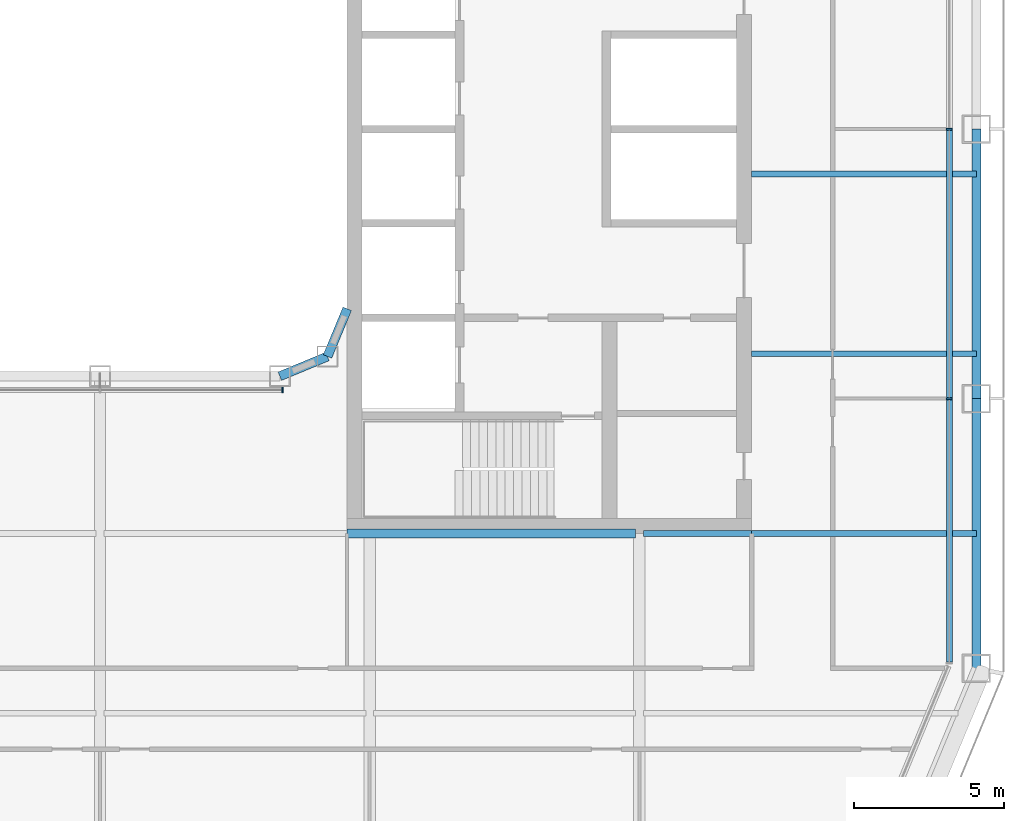
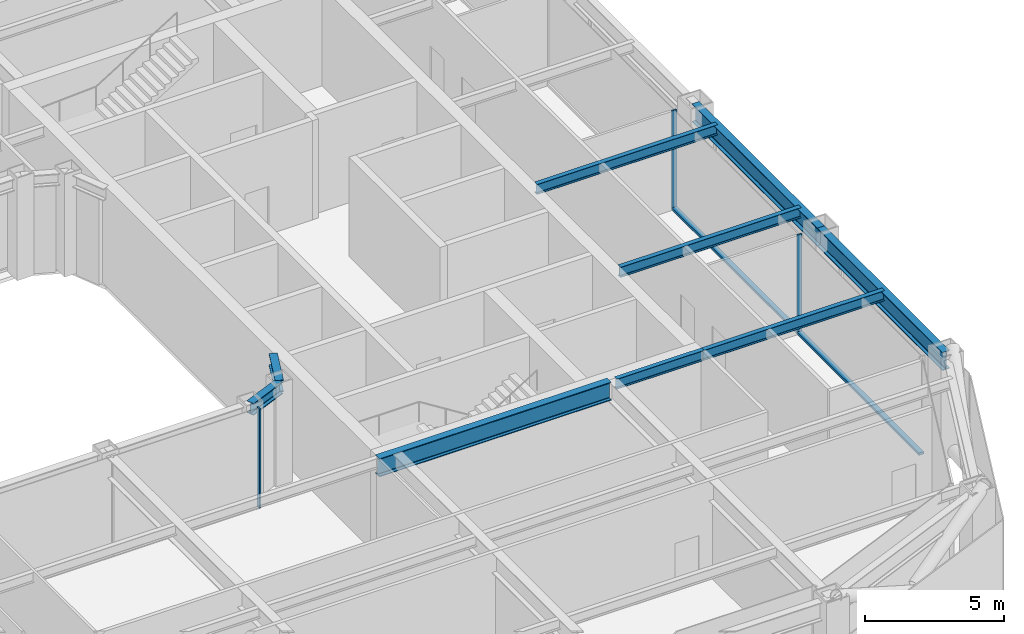
# One storey, part 5 of 21: 9 beams, 5 members, 2 elements without a shape of their own.
"""IFC4 building model written with IfcOpenShell, lengths in metres."""

from ifc_helpers import new_model, si_unit, direction, frame, origin, origin_2d, place, context, subcontext, project, spatial, rectangle, i_section, extrude, material, layer, layer_set, material_profile, profile_set, type_object, element, aggregate, save


model = new_model("IFC4")

# Units and contexts
model_context = context("Model", 3, precision=1e-05, world=origin(), true_north=direction((0.0, 1.0)))
body_context = subcontext(model_context, "Body", "Model", "MODEL_VIEW")
ifc_project = project(units=[si_unit("LENGTHUNIT", "METRE"), si_unit("AREAUNIT", "SQUARE_METRE"), si_unit("VOLUMEUNIT", "CUBIC_METRE"), si_unit("PLANEANGLEUNIT", "RADIAN"), si_unit("MASSUNIT", "GRAM", prefix="KILO")], contexts=[model_context])

# Site, building, storey
site_placement = place(None, origin())
site = spatial("IfcSite", under=ifc_project, at=site_placement, CompositionType="ELEMENT")
building_placement = place(site_placement, origin())
building = spatial("IfcBuilding", under=site, at=building_placement, Name="Siwar Civic Tower", CompositionType="ELEMENT")
storey_placement = place(building_placement, frame((0.0, 0.0, 122.699951171875)))
storey = spatial("IfcBuildingStorey", under=building, at=storey_placement, Name="L26", CompositionType="ELEMENT", Elevation=122.699951171875)

# Curtain wall, members
ifc_material_1 = material(Name="Aluminium and glass", Category="aluminium")
ifc_layer_1 = layer(ifc_material_1, 0.199951171875)
ifc_layer_set_1 = layer_set([ifc_layer_1], Name="Aluminium and glass")
curtain_wall_type_1 = type_object("IfcCurtainWallType", Name="ENV-CW-B", PredefinedType="NOTDEFINED", material=ifc_layer_set_1)
curtain_wall_1_placement = place(storey_placement, origin())
curtain_wall_1 = element("IfcCurtainWall", 1, at=curtain_wall_1_placement, inside=storey, type_object=curtain_wall_type_1, Name="Curtain wall B E", PredefinedType="NOTDEFINED")
ifc_material_2 = material(Name="Aluminium 6063-T6", Category="aluminium")
ifc_material_profile_1 = material_profile(ifc_material_2, rectangle(XDim=0.199951171875, YDim=0.06494140625, at=origin_2d()), Name="AL 200x65")
ifc_profile_set_1 = profile_set([ifc_material_profile_1], Name="Aluminium 6063-T6")
member_type_1 = type_object("IfcMemberType", Name="ENV-MULLION-B", PredefinedType="MULLION", material=ifc_profile_set_1)
member_1_placement = place(storey_placement, frame((28.35009765625, -9.0, 0.0), z_axis=(0.0, 0.0, 1.0), x_axis=(-1.0, 0.0, 0.0)))
member_1 = element("IfcMember", 2, at=member_1_placement, type_object=member_type_1, Name="Mullion B E 2", PredefinedType="MULLION", context=body_context, shape_type="SweptSolid", body=[
    extrude(rectangle(XDim=0.199951171875, YDim=0.06494140625, at=origin_2d()), origin(), (0.0, 0.0, 1.0), 4.35009765625),
])
member_2_placement = place(storey_placement, frame((28.35009765625, 0.0, 0.0), z_axis=(0.0, 0.0, 1.0), x_axis=(-1.0, 0.0, 0.0)))
member_2 = element("IfcMember", 3, at=member_2_placement, type_object=member_type_1, Name="Mullion B E 3", PredefinedType="MULLION", context=body_context, shape_type="SweptSolid", body=[
    extrude(rectangle(XDim=0.199951171875, YDim=0.06494140625, at=origin_2d()), origin(), (0.0, 0.0, 1.0), 4.35009765625),
])

# Curtain wall, member
ifc_material_3 = material(Name="Aluminium and glass", Category="aluminium")
ifc_layer_2 = layer(ifc_material_3, 0.179931640625)
ifc_layer_set_2 = layer_set([ifc_layer_2], Name="Aluminium and glass")
curtain_wall_type_2 = type_object("IfcCurtainWallType", Name="ENV-CW-W", PredefinedType="NOTDEFINED", material=ifc_layer_set_2)
curtain_wall_2_placement = place(storey_placement, origin())
curtain_wall_2 = element("IfcCurtainWall", 4, at=curtain_wall_2_placement, inside=storey, type_object=curtain_wall_type_2, Name="Curtain wall W WS", PredefinedType="NOTDEFINED")
ifc_material_4 = material(Name="Aluminium 6063-T6", Category="aluminium")
ifc_material_profile_2 = material_profile(ifc_material_4, rectangle(XDim=0.179931640625, YDim=0.06005859375, at=origin_2d()), Name="AL 180x60")
ifc_profile_set_2 = profile_set([ifc_material_profile_2], Name="Aluminium 6063-T6")
member_type_2 = type_object("IfcMemberType", Name="ENV-MULLION-W", PredefinedType="MULLION", material=ifc_profile_set_2)
member_3_placement = place(storey_placement, frame((6.091552734375, -8.7099609375, 0.0), z_axis=(0.0, 0.0, 1.0), x_axis=(0.0, 1.0, 0.0)))
member_3 = element("IfcMember", 5, at=member_3_placement, type_object=member_type_2, Name="Mullion W WS 3", PredefinedType="MULLION", context=body_context, shape_type="SweptSolid", body=[
    extrude(rectangle(XDim=0.179931640625, YDim=0.06005859375, at=origin_2d()), origin(), (0.0, 0.0, 1.0), 4.35009765625),
])
aggregate(curtain_wall_2, [member_3])

# Member
ifc_material_5 = material(Name="Aluminium 6063-T6", Category="aluminium")
ifc_material_profile_3 = material_profile(ifc_material_5, rectangle(XDim=0.199951171875, YDim=0.110107421875, at=origin_2d()), Name="AL 200x110")
ifc_profile_set_3 = profile_set([ifc_material_profile_3], Name="Aluminium 6063-T6")
member_type_3 = type_object("IfcMemberType", Name="ENV-TRANSOM-B", PredefinedType="USERDEFINED", material=ifc_profile_set_3)
member_4_placement = place(storey_placement, frame((28.35009765625, -17.78857421875, 0.054931640625), z_axis=(0.0, 1.0, 0.0), x_axis=(-1.0, 0.0, 0.0)))
member_4 = element("IfcMember", 6, at=member_4_placement, type_object=member_type_3, Name="Transom B E 1", ObjectType="TRANSOM", PredefinedType="USERDEFINED", context=body_context, shape_type="SweptSolid", body=[
    extrude(rectangle(XDim=0.199951171875, YDim=0.110107421875, at=origin_2d()), origin(), (0.0, 0.0, 1.0), 8.756103515625),
])

member_5_placement = place(storey_placement, frame((28.35009765625, -8.967529296875, 0.054931640625), z_axis=(0.0, 1.0, 0.0), x_axis=(-1.0, 0.0, 0.0)))
member_5 = element("IfcMember", 7, at=member_5_placement, type_object=member_type_3, Name="Transom B E 2", ObjectType="TRANSOM", PredefinedType="USERDEFINED", context=body_context, shape_type="SweptSolid", body=[
    extrude(rectangle(XDim=0.199951171875, YDim=0.110107421875, at=origin_2d()), origin(), (0.0, 0.0, 1.0), 8.93505859375),
])

aggregate(curtain_wall_1, [member_1, member_2, member_4, member_5])

# Beams
ifc_material_6 = material(Name="Steel S355", Category="steel")
ifc_material_profile_4 = material_profile(ifc_material_6, i_section(OverallWidth=0.18994140625, OverallDepth=0.449951171875, WebThickness=0.009521484375, FlangeThickness=0.0146484375, FilletRadius=0.02099609375, at=origin_2d()), Name="IPE450")
ifc_profile_set_4 = profile_set([ifc_material_profile_4], Name="Steel S355")
beam_type_1 = type_object("IfcBeamType", Name="STR-FB-IPE450", PredefinedType="JOIST", material=ifc_profile_set_4)
beam_1_placement = place(storey_placement, frame((18.1298828125, -13.5, 4.125), z_axis=(1.0, 0.0, 0.0), x_axis=(0.0, 1.0, 0.0)))
element("IfcBeam", 8, at=beam_1_placement, inside=storey, type_object=beam_type_1, Name="L26/bm/F019", PredefinedType="JOIST", context=body_context, shape_type="SweptSolid", body=[
    extrude(i_section(OverallWidth=0.18994140625, OverallDepth=0.449951171875, WebThickness=0.009521484375, FlangeThickness=0.0146484375, FilletRadius=0.02099609375, at=origin_2d()), origin(), (0.0, 0.0, 1.0), 3.6201171875),
])
for number, where, z_axis, x_axis, name in (
    (9, (21.75, -13.5, 4.125), (1.0, 0.0, 0.0), (0.0, 1.0, 0.0), "L26/bm/F020"),
    (10, (21.75, -7.5, 4.125), (1.0, 0.0, 0.0), (0.0, 1.0, 0.0), "L26/bm/F022"),
    (11, (21.75, -1.5, 4.125), (1.0, 0.0, 0.0), (0.0, 1.0, 0.0), "L26/bm/F024"),
):
    element("IfcBeam", number, at=place(storey_placement, frame(where, z_axis=z_axis, x_axis=x_axis)), inside=storey, type_object=beam_type_1, Name=name, PredefinedType="JOIST", context=body_context, shape_type="SweptSolid", body=[
        extrude(i_section(OverallWidth=0.18994140625, OverallDepth=0.449951171875, WebThickness=0.009521484375, FlangeThickness=0.0146484375, FilletRadius=0.02099609375, at=origin_2d()), origin(), (0.0, 0.0, 1.0), 7.5),
    ])
ifc_material_7 = material(Name="Steel S355", Category="steel")
ifc_material_profile_5 = material_profile(ifc_material_7, i_section(OverallWidth=0.300048828125, OverallDepth=0.800048828125, WebThickness=0.017578125, FlangeThickness=0.032958984375, FilletRadius=0.030029296875, at=origin_2d()), Name="HEB800")
ifc_profile_set_5 = profile_set([ifc_material_profile_5], Name="Steel S355")
beam_type_2 = type_object("IfcBeamType", Name="STR-PG-HEB800", PredefinedType="BEAM", material=ifc_profile_set_5)
beam_2_placement = place(storey_placement, frame((8.25, -13.5, 3.949951171875), z_axis=(1.0, 0.0, 0.0), x_axis=(0.0, 1.0, 0.0)))
element("IfcBeam", 12, at=beam_2_placement, inside=storey, type_object=beam_type_2, Name="L26/bm/F018", PredefinedType="BEAM", context=body_context, shape_type="SweptSolid", body=[
    extrude(i_section(OverallWidth=0.300048828125, OverallDepth=0.800048828125, WebThickness=0.017578125, FlangeThickness=0.032958984375, FilletRadius=0.030029296875, at=origin_2d()), origin(), (0.0, 0.0, 1.0), 9.6201171875),
])
ifc_material_8 = material(Name="Steel S355", Category="steel")
ifc_material_profile_6 = material_profile(ifc_material_8, i_section(OverallWidth=0.305908203125, OverallDepth=0.52392578125, WebThickness=0.02099609375, FlangeThickness=0.0400390625, FilletRadius=0.027099609375, at=origin_2d()), Name="HEM500")
ifc_profile_set_6 = profile_set([ifc_material_profile_6], Name="Steel S355")
beam_type_3 = type_object("IfcBeamType", Name="STR-RB-HEM500", PredefinedType="BEAM", material=ifc_profile_set_6)
for number, where, z_axis, x_axis, name in (
    (13, (6.0, -8.25, 4.088134765625), (0.923901072997, 0.382631424892, 0.0), (-0.382631424892, 0.923901072997, 0.0), "L26/bm/RS3"),
    (14, (7.591064453125, -7.591064453125, 4.088134765625), (0.382631424892, 0.923901072997, 0.0), (-0.923901072997, 0.382631424892, 0.0), "L26/bm/RSEE"),
):
    element("IfcBeam", number, at=place(storey_placement, frame(where, z_axis=z_axis, x_axis=x_axis)), inside=storey, type_object=beam_type_3, Name=name, PredefinedType="BEAM", context=body_context, shape_type="SweptSolid", body=[
        extrude(i_section(OverallWidth=0.305908203125, OverallDepth=0.52392578125, WebThickness=0.02099609375, FlangeThickness=0.0400390625, FilletRadius=0.027099609375, at=origin_2d()), origin(), (0.0, 0.0, 1.0), 1.72216796875),
    ])
ifc_material_9 = material(Name="Steel S355", Category="steel")
ifc_material_profile_7 = material_profile(ifc_material_9, i_section(OverallWidth=0.300048828125, OverallDepth=0.800048828125, WebThickness=0.017578125, FlangeThickness=0.032958984375, FilletRadius=0.030029296875, at=origin_2d()), Name="HEB800")
ifc_profile_set_7 = profile_set([ifc_material_profile_7], Name="Steel S355")
beam_type_4 = type_object("IfcBeamType", Name="STR-SB-HEB800", PredefinedType="BEAM", material=ifc_profile_set_7)
for number, where, z_axis, x_axis, name in (
    (15, (29.25, -18.0, 3.949951171875), (0.0, 1.0, 0.0), (-1.0, 0.0, 0.0), "L26/bm/SE-0"),
    (16, (29.25, -9.0, 3.949951171875), (0.0, 1.0, 0.0), (-1.0, 0.0, 0.0), "L26/bm/SE-1"),
):
    element("IfcBeam", number, at=place(storey_placement, frame(where, z_axis=z_axis, x_axis=x_axis)), inside=storey, type_object=beam_type_4, Name=name, PredefinedType="BEAM", context=body_context, shape_type="SweptSolid", body=[
        extrude(i_section(OverallWidth=0.300048828125, OverallDepth=0.800048828125, WebThickness=0.017578125, FlangeThickness=0.032958984375, FilletRadius=0.030029296875, at=origin_2d()), origin(), (0.0, 0.0, 1.0), 9.0),
    ])

save(model, "model.ifc")
